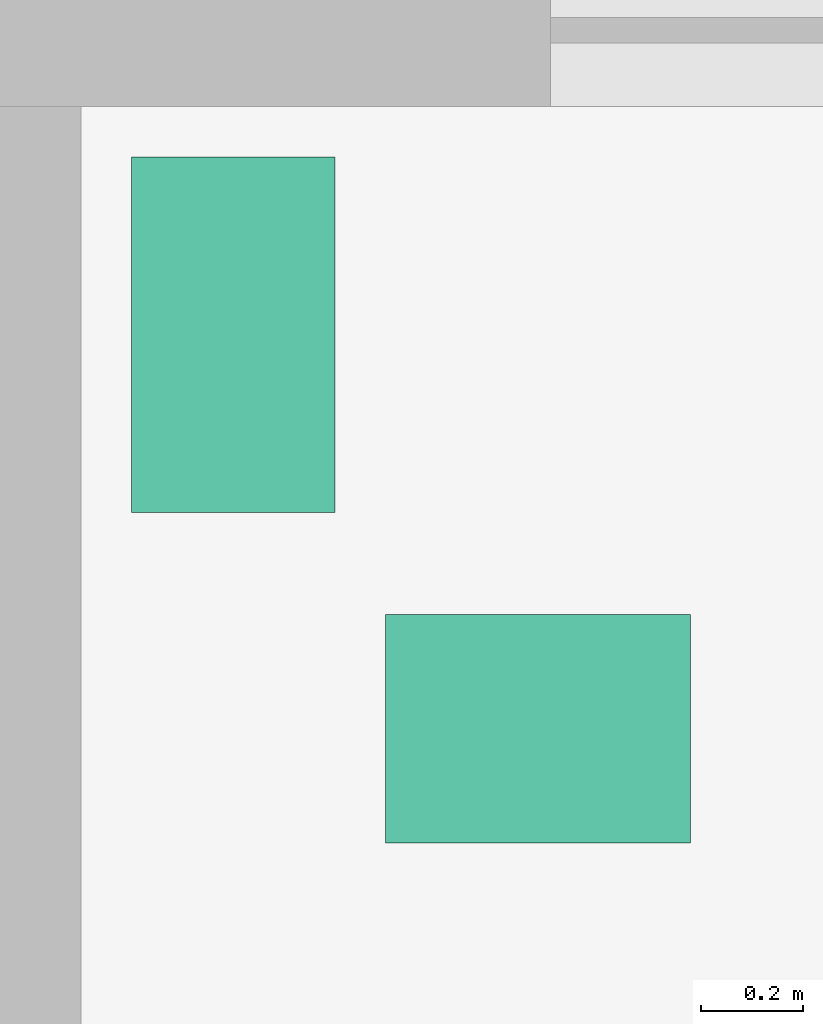
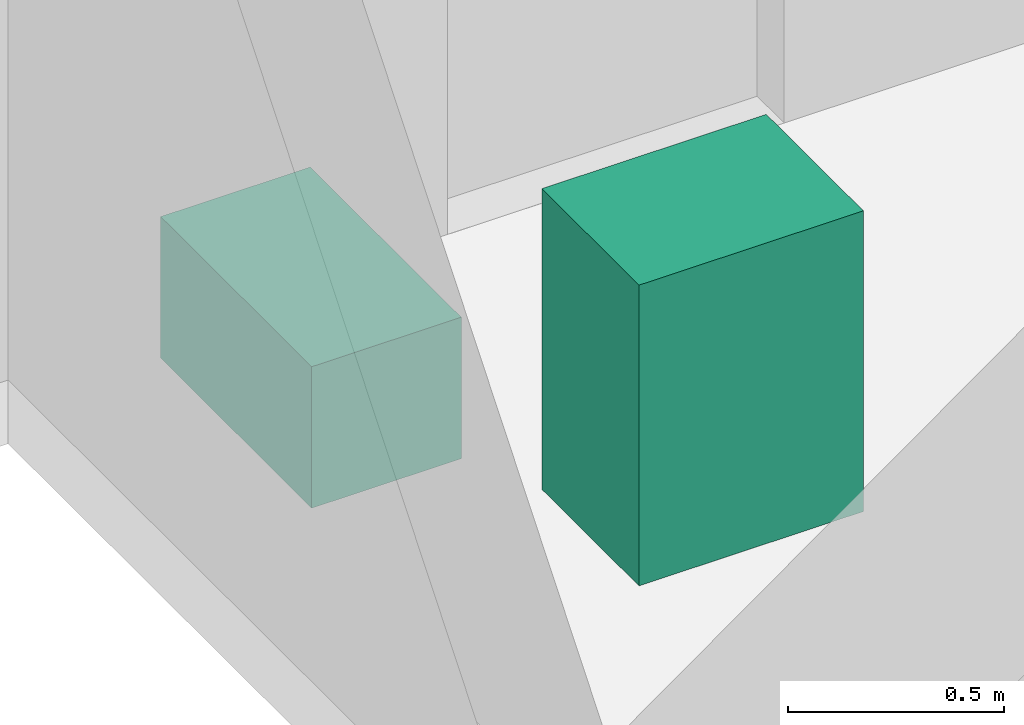
# One storey, part 16 of 16: 2 sanitary terminals.
"""IFC4 building model written with IfcOpenShell, lengths in metres."""

from ifc_helpers import new_model, si_unit, direction, frame, origin, origin_2d, place, context, subcontext, project, spatial, rectangle, extrude, element, save


model = new_model("IFC4")

# Units and contexts
model_context = context("Model", 3, precision=1e-05, world=origin(), true_north=direction((0.0, 1.0)))
body_context = subcontext(model_context, "Body", "Model", "MODEL_VIEW")
ifc_project = project(units=[si_unit("LENGTHUNIT", "METRE"), si_unit("AREAUNIT", "SQUARE_METRE"), si_unit("VOLUMEUNIT", "CUBIC_METRE"), si_unit("PLANEANGLEUNIT", "RADIAN"), si_unit("MASSUNIT", "GRAM", prefix="KILO")], contexts=[model_context])

# Site, building, storey
site_placement = place(None, origin())
site = spatial("IfcSite", under=ifc_project, at=site_placement, CompositionType="ELEMENT")
building_placement = place(site_placement, origin())
building = spatial("IfcBuilding", under=site, at=building_placement, Name="Hankou Lantern Tower", CompositionType="ELEMENT")
storey_placement = place(building_placement, frame((0.0, 0.0, 77.10009765625)))
storey = spatial("IfcBuildingStorey", under=building, at=storey_placement, Name="L19", CompositionType="ELEMENT", Elevation=77.10009765625)

# Sanitary terminals
sanitary_terminal_1_placement = place(storey_placement, frame((-5.574951171875, -2.199951171875, 0.0), z_axis=(0.0, 0.0, 1.0), x_axis=(1.0, 0.0, 0.0)))
element("IfcSanitaryTerminal", 1, at=sanitary_terminal_1_placement, inside=storey, Name="Accessible staff WC WC pan 1", PredefinedType="TOILETPAN", context=body_context, shape_type="SweptSolid", body=[
    extrude(rectangle(XDim=0.39990234375, YDim=0.699951171875, at=origin_2d()), origin(), (0.0, 0.0, 1.0), 0.39990234375),
])
sanitary_terminal_2_placement = place(storey_placement, frame((-4.97509765625, -2.97509765625, -0.000244140625), z_axis=(0.0, 0.0, 1.0), x_axis=(1.0, 0.0, 0.0)))
element("IfcSanitaryTerminal", 2, at=sanitary_terminal_2_placement, inside=storey, Name="Accessible staff WC wash basin 1", PredefinedType="WASHHANDBASIN", context=body_context, shape_type="SweptSolid", body=[
    extrude(rectangle(XDim=0.60009765625, YDim=0.449951171875, at=origin_2d()), origin(), (0.0, 0.0, 1.0), 0.85009765625),
])

save(model, "model.ifc")
